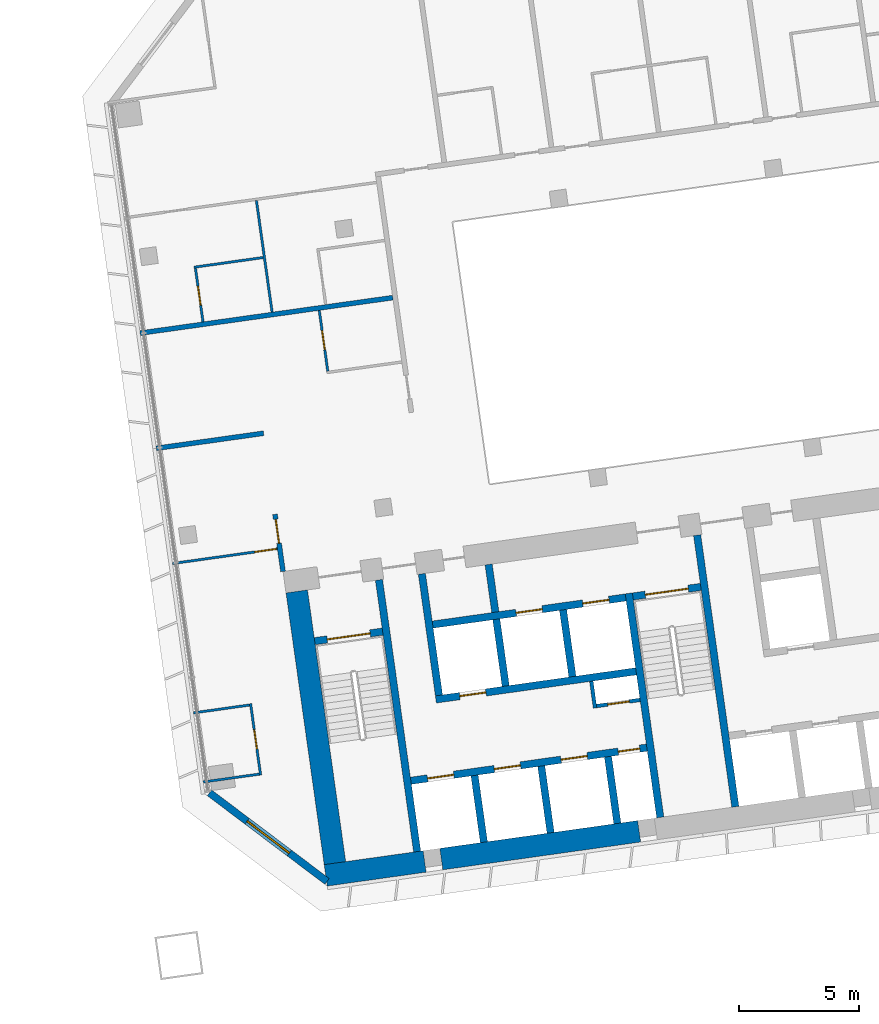
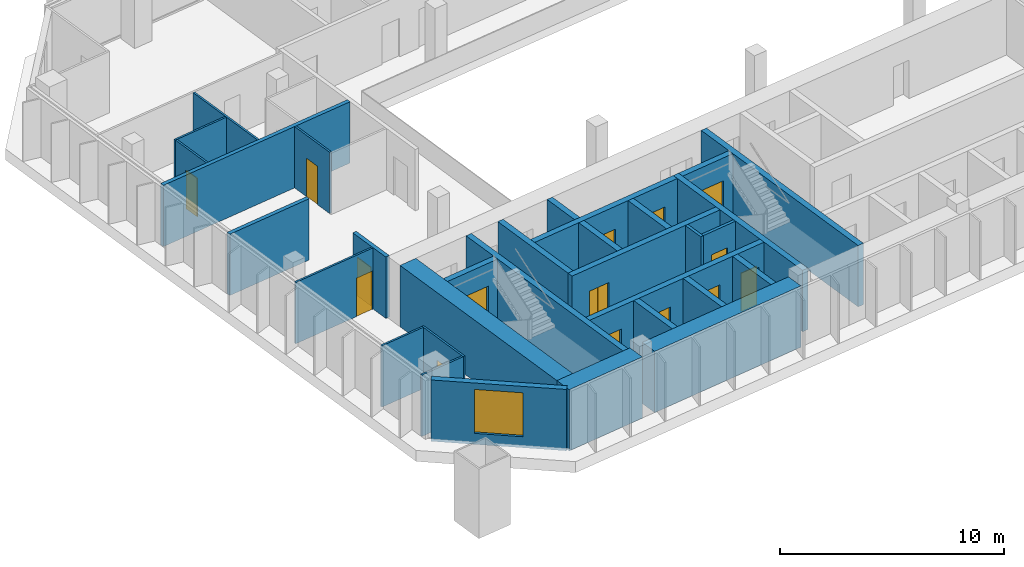
# One storey, part 18 of 24: 32 walls, 15 doors, 1 window, 16 openings.
"""IFC4 building model written with IfcOpenShell, lengths in metres."""

from ifc_helpers import new_model, si_unit, direction, frame, frame_2d, origin, place, context, subcontext, project, spatial, rectangle, extrude, material, layer, layer_set, type_object, element, fill, save


model = new_model("IFC4")

# Units and contexts
model_context = context("Model", 3, precision=1e-05, world=origin(), true_north=direction((0.0, 1.0)))
body_context = subcontext(model_context, "Body", "Model", "MODEL_VIEW")
ifc_project = project(units=[si_unit("LENGTHUNIT", "METRE"), si_unit("AREAUNIT", "SQUARE_METRE"), si_unit("VOLUMEUNIT", "CUBIC_METRE"), si_unit("PLANEANGLEUNIT", "RADIAN"), si_unit("MASSUNIT", "GRAM", prefix="KILO")], contexts=[model_context])

# Site, building, storey
site_placement = place(None, origin())
site = spatial("IfcSite", under=ifc_project, at=site_placement, CompositionType="ELEMENT")
building_placement = place(site_placement, origin())
building = spatial("IfcBuilding", under=site, at=building_placement, Name="Mirante Cascada Hotel Towers", CompositionType="ELEMENT")
storey_placement = place(building_placement, frame((0.0, 0.0, 47.1)))
storey = spatial("IfcBuildingStorey", under=building, at=storey_placement, Name="L08", CompositionType="ELEMENT", Elevation=47.1)

# Walls
ifc_material_1 = material(Name="Fire-rated plasterboard on metal studs")
ifc_layer_1 = layer(ifc_material_1, 0.2)
ifc_layer_set_1 = layer_set([ifc_layer_1], Name="Compartment wall 200 EI 120")
wall_type_1 = type_object("IfcWallType", Name="Compartment wall 200 EI 120", PredefinedType="PARTITIONING", material=ifc_layer_set_1)
wall_1_placement = place(storey_placement, frame((34.4562, -1.3737, 0.0), z_axis=(0.0, 0.0, 1.0), x_axis=(-0.9902674, -0.1391779, 0.0)))
element("IfcWall", 1, at=wall_1_placement, inside=storey, type_object=wall_type_1, Name="Wall 2-L08-08", PredefinedType="PARTITIONING", context=body_context, shape_type="SweptSolid", body=[
    extrude(rectangle(XDim=4.5, YDim=0.2, at=frame_2d((2.25, 0.0))), origin(), (0.0, 0.0, 1.0), 3.35),
])
wall_2_placement = place(storey_placement, frame((29.3273, 2.7863, 0.0), z_axis=(0.0, 0.0, 1.0), x_axis=(0.9902686, 0.1391691, 0.0)))
element("IfcWall", 2, at=wall_2_placement, inside=storey, type_object=wall_type_1, Name="Wall 2-L08-13", PredefinedType="PARTITIONING", context=body_context, shape_type="SweptSolid", body=[
    extrude(rectangle(XDim=10.6001, YDim=0.2, at=frame_2d((5.3, 0.0))), origin(), (0.0, 0.0, 1.0), 3.35),
])

# Wall, opening, door
wall_3_placement = place(storey_placement, frame((35.2634, -7.1173, 0.0), z_axis=(0.0, 0.0, 1.0), x_axis=(-0.1391635, 0.9902694, 0.0)))
wall_3 = element("IfcWall", 3, at=wall_3_placement, inside=storey, type_object=wall_type_1, Name="Wall 2-L08-29", PredefinedType="PARTITIONING", context=body_context, shape_type="SweptSolid", body=[
    extrude(rectangle(XDim=2.4001, YDim=0.2, at=frame_2d((1.2, 0.0))), origin(), (0.0, 0.0, 1.0), 3.35),
])
opening_1_placement = place(wall_3_placement, frame((1.1833, 0.0, 0.0)))
opening_1 = element("IfcOpeningElement", 4, at=opening_1_placement, cuts=wall_3, Name="Opening D2-L08-29", PredefinedType="OPENING", context=body_context, shape_type="SweptSolid", body=[
    extrude(rectangle(XDim=1.0, YDim=2.1, at=frame_2d((0.5, 1.05))), frame((0.0, 0.1, 0.0), z_axis=(0.0, -1.0, 0.0), x_axis=(1.0, 0.0, 0.0)), (0.0, 0.0, 1.0), 0.2),
])
ifc_material_2 = material(Name="Fire-rated timber door leaf", Category="wood")
door_type_1 = type_object("IfcDoorType", Name="Entrance door DG1 1000x2100 EI 60", OperationType="SINGLE_SWING_LEFT", PredefinedType="DOOR", material=ifc_material_2)
door_1_placement = place(opening_1_placement, origin())
door_1 = element("IfcDoor", 5, at=door_1_placement, inside=storey, type_object=door_type_1, Name="Door D2-L08-29", OperationType="SINGLE_SWING_LEFT", OverallHeight=2.1, OverallWidth=1.0, PredefinedType="DOOR", context=body_context, shape_type="SweptSolid", body=[
    extrude(rectangle(XDim=1.0, YDim=2.1, at=frame_2d((0.5, 1.05))), frame((0.0, 0.025, 0.0), z_axis=(0.0, -1.0, 0.0), x_axis=(1.0, 0.0, 0.0)), (0.0, 0.0, 1.0), 0.05),
])
fill(opening_1, door_1)

# Wall
ifc_material_3 = material(Name="Masonry block", Category="masonry")
ifc_layer_2 = layer(ifc_material_3, 0.15)
ifc_layer_set_2 = layer_set([ifc_layer_2], Name="Core room partition 150 block EI 30")
wall_type_2 = type_object("IfcWallType", Name="Core room partition 150 block EI 30", PredefinedType="PARTITIONING", material=ifc_layer_set_2)
wall_4_placement = place(storey_placement, frame((48.2295, -12.793, 0.0), z_axis=(0.0, 0.0, 1.0), x_axis=(-0.1391935, 0.9902652, 0.0)))
element("IfcWall", 6, at=wall_4_placement, inside=storey, type_object=wall_type_2, Name="Core wall partition T2 L08 2", PredefinedType="PARTITIONING", context=body_context, shape_type="SweptSolid", body=[
    extrude(rectangle(XDim=1.1251, YDim=0.15, at=frame_2d((0.5626, 0.0))), origin(), (0.0, 0.0, 1.0), 3.35),
])

# Wall, opening, door
wall_5_placement = place(storey_placement, frame((48.2933, -12.7083, 0.0), z_axis=(0.0, 0.0, 1.0), x_axis=(0.990268, 0.1391734, 0.0)))
wall_5 = element("IfcWall", 7, at=wall_5_placement, inside=storey, type_object=wall_type_2, Name="Core wall partition T2 L08 3", PredefinedType="PARTITIONING", context=body_context, shape_type="SweptSolid", body=[
    extrude(rectangle(XDim=1.8251, YDim=0.15, at=frame_2d((0.9126, 0.0))), origin(), (0.0, 0.0, 1.0), 3.35),
])
opening_2_placement = place(wall_5_placement, frame((0.4625, 0.0, 0.0)))
opening_2 = element("IfcOpeningElement", 8, at=opening_2_placement, cuts=wall_5, Name="Opening D2-08-C23", PredefinedType="OPENING", context=body_context, shape_type="SweptSolid", body=[
    extrude(rectangle(XDim=0.9, YDim=2.1, at=frame_2d((0.45, 1.05))), frame((0.0, 0.075, 0.0), z_axis=(0.0, -1.0, 0.0), x_axis=(1.0, 0.0, 0.0)), (0.0, 0.0, 1.0), 0.15),
])
ifc_material_4 = material(Name="Hollow metal fire door leaf")
door_type_2 = type_object("IfcDoorType", Name="Fire door 900x2100 FD60", OperationType="NOTDEFINED", PredefinedType="DOOR", material=ifc_material_4)
door_2_placement = place(opening_2_placement, frame((0.9, 0.0, 0.0), z_axis=(0.0, 0.0, 1.0), x_axis=(-1.0, 0.0, 0.0)))
door_2 = element("IfcDoor", 9, at=door_2_placement, inside=storey, type_object=door_type_2, Name="Riser door T2 L08 23", OperationType="SINGLE_SWING_RIGHT", OverallHeight=2.1, OverallWidth=0.9, PredefinedType="DOOR", context=body_context, shape_type="SweptSolid", body=[
    extrude(rectangle(XDim=0.9, YDim=2.1, at=frame_2d((0.45, 1.05))), frame((0.0, 0.025, 0.0), z_axis=(0.0, -1.0, 0.0), x_axis=(1.0, 0.0, 0.0)), (0.0, 0.0, 1.0), 0.05),
])
fill(opening_2, door_2)

# Walls
ifc_material_5 = material(Name="Masonry block", Category="masonry")
ifc_layer_3 = layer(ifc_material_5, 0.3)
ifc_layer_set_3 = layer_set([ifc_layer_3], Name="Core wall 300 block EI 120")
wall_type_3 = type_object("IfcWallType", Name="Core wall 300 block EI 120", PredefinedType="PARTITIONING", material=ifc_layer_set_3)
wall_6_placement = place(storey_placement, frame((44.0843, -8.8061, 0.0), z_axis=(0.0, 0.0, 1.0), x_axis=(-0.1391951, 0.990265, 0.0)))
element("IfcWall", 10, at=wall_6_placement, inside=storey, type_object=wall_type_3, Name="Core wall partition T2 L08 1", PredefinedType="PARTITIONING", context=body_context, shape_type="SweptSolid", body=[
    extrude(rectangle(XDim=2.0001, YDim=0.3, at=frame_2d((1.0001, 0.0))), origin(), (0.0, 0.0, 1.0), 3.35),
])
ifc_material_6 = material(Name="Plasterboard on metal studs")
ifc_layer_4 = layer(ifc_material_6, 0.1)
ifc_layer_set_4 = layer_set([ifc_layer_4], Name="Partition 100")
wall_type_4 = type_object("IfcWallType", Name="Partition 100", PredefinedType="PARTITIONING", material=ifc_layer_set_4)
for number, where, z_axis, x_axis, name in (
    (11, (34.2756, -15.5367, 0.0), (0.0, 0.0, 1.0), (-0.9902661, -0.139187, 0.0), "Wall 2-L08-02"),
    (12, (31.5448, -12.992, 0.0), (0.0, 0.0, 1.0), (0.9902661, 0.139187, 0.0), "Wall 2-L08-03"),
):
    element("IfcWall", number, at=place(storey_placement, frame(where, z_axis=z_axis, x_axis=x_axis)), inside=storey, type_object=wall_type_4, Name=name, PredefinedType="PARTITIONING", context=body_context, shape_type="SweptSolid", body=[
        extrude(rectangle(XDim=2.3501, YDim=0.1, at=frame_2d((1.175, 0.0))), origin(), (0.0, 0.0, 1.0), 3.35),
    ])

# Wall, opening, door
wall_7_placement = place(storey_placement, frame((35.0298, -6.1739, 0.0), z_axis=(0.0, 0.0, 1.0), x_axis=(-0.9902665, -0.1391841, 0.0)))
wall_7 = element("IfcWall", 13, at=wall_7_placement, inside=storey, type_object=wall_type_4, Name="Wall 2-L08-04", PredefinedType="PARTITIONING", context=body_context, shape_type="SweptSolid", body=[
    extrude(rectangle(XDim=4.3999, YDim=0.1, at=frame_2d((2.2, 0.0))), origin(), (0.0, 0.0, 1.0), 3.35),
])
opening_3_placement = place(wall_7_placement, frame((0.05, 0.0, 0.0)))
opening_3 = element("IfcOpeningElement", 14, at=opening_3_placement, cuts=wall_7, Name="Opening D2-L08-02", PredefinedType="OPENING", context=body_context, shape_type="SweptSolid", body=[
    extrude(rectangle(XDim=0.9, YDim=2.1, at=frame_2d((0.45, 1.05))), frame((0.0, 0.05, 0.0), z_axis=(0.0, -1.0, 0.0), x_axis=(1.0, 0.0, 0.0)), (0.0, 0.0, 1.0), 0.1),
])
ifc_material_7 = material(Name="Timber door leaf", Category="wood")
door_type_3 = type_object("IfcDoorType", Name="Room door DG3 900x2100", OperationType="SINGLE_SWING_LEFT", PredefinedType="DOOR", material=ifc_material_7)
door_3_placement = place(opening_3_placement, origin())
door_3 = element("IfcDoor", 15, at=door_3_placement, inside=storey, type_object=door_type_3, Name="Door D2-L08-02", OperationType="SINGLE_SWING_LEFT", OverallHeight=2.1, OverallWidth=0.9, PredefinedType="DOOR", context=body_context, shape_type="SweptSolid", body=[
    extrude(rectangle(XDim=0.9, YDim=2.1, at=frame_2d((0.45, 1.05))), frame((0.0, 0.025, 0.0), z_axis=(0.0, -1.0, 0.0), x_axis=(1.0, 0.0, 0.0)), (0.0, 0.0, 1.0), 0.05),
])
fill(opening_3, door_3)

# Wall
wall_8_placement = place(storey_placement, frame((31.568, 5.5248, 0.0), z_axis=(0.0, 0.0, 1.0), x_axis=(0.9902683, 0.1391714, 0.0)))
element("IfcWall", 16, at=wall_8_placement, inside=storey, type_object=wall_type_4, Name="Wall 2-L08-15", PredefinedType="PARTITIONING", context=body_context, shape_type="SweptSolid", body=[
    extrude(rectangle(XDim=2.9, YDim=0.1, at=frame_2d((1.45, 0.0))), origin(), (0.0, 0.0, 1.0), 3.35),
])

# Wall, opening, door
wall_9_placement = place(storey_placement, frame((34.332, -15.5793, 0.0), z_axis=(0.0, 0.0, 1.0), x_axis=(-0.1391624, 0.9902696, 0.0)))
wall_9 = element("IfcWall", 17, at=wall_9_placement, inside=storey, type_object=wall_type_4, Name="Wall 2-L08-27", PredefinedType="PARTITIONING", context=body_context, shape_type="SweptSolid", body=[
    extrude(rectangle(XDim=3.0001, YDim=0.1, at=frame_2d((1.5001, 0.0))), origin(), (0.0, 0.0, 1.0), 3.35),
])
opening_4_placement = place(wall_9_placement, frame((1.1, 0.0, 0.0)))
opening_4 = element("IfcOpeningElement", 18, at=opening_4_placement, cuts=wall_9, Name="Opening D2-L08-27", PredefinedType="OPENING", context=body_context, shape_type="SweptSolid", body=[
    extrude(rectangle(XDim=0.8, YDim=2.1, at=frame_2d((0.4, 1.05))), frame((0.0, 0.05, 0.0), z_axis=(0.0, -1.0, 0.0), x_axis=(1.0, 0.0, 0.0)), (0.0, 0.0, 1.0), 0.1),
])
ifc_material_8 = material(Name="Timber door leaf", Category="wood")
door_type_4 = type_object("IfcDoorType", Name="Bathroom door DG4 800x2100", OperationType="SINGLE_SWING_LEFT", PredefinedType="DOOR", material=ifc_material_8)
door_4_placement = place(opening_4_placement, frame((0.8, 0.0, 0.0), z_axis=(0.0, 0.0, 1.0), x_axis=(-1.0, 0.0, 0.0)))
door_4 = element("IfcDoor", 19, at=door_4_placement, inside=storey, type_object=door_type_4, Name="Door D2-L08-27", OperationType="SINGLE_SWING_RIGHT", OverallHeight=2.1, OverallWidth=0.8, PredefinedType="DOOR", context=body_context, shape_type="SweptSolid", body=[
    extrude(rectangle(XDim=0.8, YDim=2.1, at=frame_2d((0.4, 1.05))), frame((0.0, 0.025, 0.0), z_axis=(0.0, -1.0, 0.0), x_axis=(1.0, 0.0, 0.0)), (0.0, 0.0, 1.0), 0.05),
])
fill(opening_4, door_4)

wall_10_placement = place(storey_placement, frame((31.6245, 5.4822, 0.0), z_axis=(0.0, 0.0, 1.0), x_axis=(0.1391561, -0.9902705, 0.0)))
wall_10 = element("IfcWall", 20, at=wall_10_placement, inside=storey, type_object=wall_type_4, Name="Wall 2-L08-28", PredefinedType="PARTITIONING", context=body_context, shape_type="SweptSolid", body=[
    extrude(rectangle(XDim=2.25, YDim=0.1, at=frame_2d((1.125, 0.0))), origin(), (0.0, 0.0, 1.0), 3.35),
])
opening_5_placement = place(wall_10_placement, frame((0.75, 0.0, 0.0)))
opening_5 = element("IfcOpeningElement", 21, at=opening_5_placement, cuts=wall_10, Name="Opening D2-L08-28", PredefinedType="OPENING", context=body_context, shape_type="SweptSolid", body=[
    extrude(rectangle(XDim=0.8, YDim=2.1, at=frame_2d((0.4, 1.05))), frame((0.0, 0.05, 0.0), z_axis=(0.0, -1.0, 0.0), x_axis=(1.0, 0.0, 0.0)), (0.0, 0.0, 1.0), 0.1),
])
door_5_placement = place(opening_5_placement, origin())
door_5 = element("IfcDoor", 22, at=door_5_placement, inside=storey, type_object=door_type_4, Name="Door D2-L08-28", OperationType="SINGLE_SWING_LEFT", OverallHeight=2.1, OverallWidth=0.8, PredefinedType="DOOR", context=body_context, shape_type="SweptSolid", body=[
    extrude(rectangle(XDim=0.8, YDim=2.1, at=frame_2d((0.4, 1.05))), frame((0.0, 0.025, 0.0), z_axis=(0.0, -1.0, 0.0), x_axis=(1.0, 0.0, 0.0)), (0.0, 0.0, 1.0), 0.05),
])
fill(opening_5, door_5)

# Wall
wall_11_placement = place(storey_placement, frame((34.8094, 3.6577, 0.0), z_axis=(0.0, 0.0, 1.0), x_axis=(-0.139173, 0.9902681, 0.0)))
element("IfcWall", 23, at=wall_11_placement, inside=storey, type_object=wall_type_4, Name="Wall 2-L08-31", PredefinedType="PARTITIONING", context=body_context, shape_type="SweptSolid", body=[
    extrude(rectangle(XDim=4.6834, YDim=0.1, at=frame_2d((2.3417, 0.0))), origin(), (0.0, 0.0, 1.0), 3.35),
])

# Wall, opening, door
wall_12_placement = place(storey_placement, frame((36.7683, 3.731, 0.0), z_axis=(0.0, 0.0, 1.0), x_axis=(0.1391809, -0.990267, 0.0)))
wall_12 = element("IfcWall", 24, at=wall_12_placement, inside=storey, type_object=wall_type_4, Name="Wall 2-L08-32", PredefinedType="PARTITIONING", context=body_context, shape_type="SweptSolid", body=[
    extrude(rectangle(XDim=2.5499, YDim=0.1, at=frame_2d((1.275, 0.0))), origin(), (0.0, 0.0, 1.0), 3.35),
])
opening_6_placement = place(wall_12_placement, frame((0.85, 0.0, 0.0)))
opening_6 = element("IfcOpeningElement", 25, at=opening_6_placement, cuts=wall_12, Name="Opening D2-L08-31", PredefinedType="OPENING", context=body_context, shape_type="SweptSolid", body=[
    extrude(rectangle(XDim=0.8, YDim=2.1, at=frame_2d((0.4, 1.05))), frame((0.0, 0.05, 0.0), z_axis=(0.0, -1.0, 0.0), x_axis=(1.0, 0.0, 0.0)), (0.0, 0.0, 1.0), 0.1),
])
door_6_placement = place(opening_6_placement, frame((0.8, 0.0, 0.0), z_axis=(0.0, 0.0, 1.0), x_axis=(-1.0, 0.0, 0.0)))
door_6 = element("IfcDoor", 26, at=door_6_placement, inside=storey, type_object=door_type_4, Name="Door D2-L08-31", OperationType="SINGLE_SWING_RIGHT", OverallHeight=2.1, OverallWidth=0.8, PredefinedType="DOOR", context=body_context, shape_type="SweptSolid", body=[
    extrude(rectangle(XDim=0.8, YDim=2.1, at=frame_2d((0.4, 1.05))), frame((0.0, 0.025, 0.0), z_axis=(0.0, -1.0, 0.0), x_axis=(1.0, 0.0, 0.0)), (0.0, 0.0, 1.0), 0.05),
])
fill(opening_6, door_6)

# Wall, opening, window
ifc_material_9 = material(Name="Precast concrete C40/50", Category="concrete")
ifc_layer_5 = layer(ifc_material_9, 0.3)
ifc_layer_set_5 = layer_set([ifc_layer_5], Name="Precast concrete C40/50 cladding wall 300")
wall_type_5 = type_object("IfcWallType", Name="Precast concrete C40/50 cladding wall 300", PredefinedType="STANDARD", material=ifc_layer_set_5)
wall_13_placement = place(storey_placement, frame((32.2074, -16.3138, 0.0), z_axis=(0.0, 0.0, 1.0), x_axis=(0.7986362, -0.6018141, 0.0)))
wall_13 = element("IfcWall", 27, at=wall_13_placement, inside=storey, type_object=wall_type_5, Name="Corner cladding wall T2 L08 inner rear", PredefinedType="STANDARD", context=body_context, shape_type="SweptSolid", body=[
    extrude(rectangle(XDim=6.1157, YDim=0.3, at=frame_2d((3.0578, 0.0))), origin(), (0.0, 0.0, 1.0), 3.35),
])
opening_7_placement = place(wall_13_placement, frame((1.9578, 0.0, 0.6)))
opening_7 = element("IfcOpeningElement", 28, at=opening_7_placement, cuts=wall_13, Name="Opening W2-08-05", PredefinedType="OPENING", context=body_context, shape_type="SweptSolid", body=[
    extrude(rectangle(XDim=2.2, YDim=2.4, at=frame_2d((1.1, 1.2))), frame((0.0, 0.15, 0.0), z_axis=(0.0, -1.0, 0.0), x_axis=(1.0, 0.0, 0.0)), (0.0, 0.0, 1.0), 0.3),
])
ifc_material_10 = material(Name="Aluminium frame with clear double glazing", Category="aluminium")
window_type = type_object("IfcWindowType", Name="Corner suite window 2200x2400", PartitioningType="DOUBLE_PANEL_VERTICAL", PredefinedType="WINDOW", material=ifc_material_10)
window_placement = place(opening_7_placement, origin())
window = element("IfcWindow", 29, at=window_placement, inside=storey, type_object=window_type, Name="Window W2-08-05", OverallHeight=2.4, OverallWidth=2.2, PartitioningType="SINGLE_PANEL", PredefinedType="WINDOW", context=body_context, shape_type="SweptSolid", body=[
    extrude(rectangle(XDim=2.2, YDim=2.4, at=frame_2d((1.1, 1.2))), frame((0.0, 0.03, 0.0), z_axis=(0.0, -1.0, 0.0), x_axis=(1.0, 0.0, 0.0)), (0.0, 0.0, 1.0), 0.06),
])
fill(opening_7, window)

# Walls
ifc_material_11 = material(Name="Concrete C50/60", Category="concrete")
ifc_layer_6 = layer(ifc_material_11, 0.3)
ifc_layer_set_6 = layer_set([ifc_layer_6], Name="RC core wall 300 C50/60")
wall_type_6 = type_object("IfcWallType", Name="RC core wall 300 C50/60", PredefinedType="SHEAR", material=ifc_layer_set_6)
wall_14_placement = place(storey_placement, frame((40.8373, -18.7548, 0.0), z_axis=(0.0, 0.0, 1.0), x_axis=(-0.1391749, 0.9902678, 0.0)))
element("IfcWall", 30, at=wall_14_placement, inside=storey, type_object=wall_type_6, Name="Core wall T2:L08:5", PredefinedType="SHEAR", context=body_context, shape_type="SweptSolid", body=[
    extrude(rectangle(XDim=11.4, YDim=0.3, at=frame_2d((5.7, 0.0))), origin(), (0.0, 0.0, 1.0), 3.35),
])
wall_15_placement = place(storey_placement, frame((50.938, -17.3352, 0.0), z_axis=(0.0, 0.0, 1.0), x_axis=(-0.1391706, 0.9902684, 0.0)))
element("IfcWall", 31, at=wall_15_placement, inside=storey, type_object=wall_type_6, Name="Core wall T2:L08:6", PredefinedType="SHEAR", context=body_context, shape_type="SweptSolid", body=[
    extrude(rectangle(XDim=9.4, YDim=0.3, at=frame_2d((4.7, 0.0))), origin(), (0.0, 0.0, 1.0), 3.35),
])
wall_16_placement = place(storey_placement, frame((54.0574, -16.8968, 0.0), z_axis=(0.0, 0.0, 1.0), x_axis=(-0.1391761, 0.9902677, 0.0)))
element("IfcWall", 32, at=wall_16_placement, inside=storey, type_object=wall_type_6, Name="Core wall T2:L08:7", PredefinedType="SHEAR", context=body_context, shape_type="SweptSolid", body=[
    extrude(rectangle(XDim=11.3999, YDim=0.3, at=frame_2d((5.7, 0.0))), origin(), (0.0, 0.0, 1.0), 3.35),
])

# Wall, opening, door
wall_17_placement = place(storey_placement, frame((36.5791, -10.0123, 0.0), z_axis=(0.0, 0.0, 1.0), x_axis=(0.9902704, 0.1391564, 0.0)))
wall_17 = element("IfcWall", 33, at=wall_17_placement, inside=storey, type_object=wall_type_6, Name="Core wall T2:L08:9", PredefinedType="SHEAR", context=body_context, shape_type="SweptSolid", body=[
    extrude(rectangle(XDim=2.85, YDim=0.3, at=frame_2d((1.425, 0.0))), origin(), (0.0, 0.0, 1.0), 3.35),
])
opening_8_placement = place(wall_17_placement, frame((0.525, 0.0, 0.0)))
opening_8 = element("IfcOpeningElement", 34, at=opening_8_placement, cuts=wall_17, Name="Opening D2-08-C13", PredefinedType="OPENING", context=body_context, shape_type="SweptSolid", body=[
    extrude(rectangle(XDim=1.8, YDim=2.1, at=frame_2d((0.9, 1.05))), frame((0.0, 0.15, 0.0), z_axis=(0.0, -1.0, 0.0), x_axis=(1.0, 0.0, 0.0)), (0.0, 0.0, 1.0), 0.3),
])
ifc_material_12 = material(Name="Hollow metal fire door leaf")
door_type_5 = type_object("IfcDoorType", Name="Double fire door 1800x2100 FD60", OperationType="DOUBLE_DOOR_SINGLE_SWING", PredefinedType="DOOR", material=ifc_material_12)
door_7_placement = place(opening_8_placement, frame((1.8, 0.0, 0.0), z_axis=(0.0, 0.0, 1.0), x_axis=(-1.0, 0.0, 0.0)))
door_7 = element("IfcDoor", 35, at=door_7_placement, inside=storey, type_object=door_type_5, Name="Stair door T2 L08 13", OperationType="DOUBLE_DOOR_SINGLE_SWING", OverallHeight=2.1, OverallWidth=1.8, PredefinedType="DOOR", context=body_context, shape_type="SweptSolid", body=[
    extrude(rectangle(XDim=0.895, YDim=2.1, at=frame_2d((0.4475, 1.05))), frame((0.0, 0.025, 0.0), z_axis=(0.0, -1.0, 0.0), x_axis=(1.0, 0.0, 0.0)), (0.0, 0.0, 1.0), 0.05),
    extrude(rectangle(XDim=0.895, YDim=2.1, at=frame_2d((1.3525, 1.05))), frame((0.0, 0.025, 0.0), z_axis=(0.0, -1.0, 0.0), x_axis=(1.0, 0.0, 0.0)), (0.0, 0.0, 1.0), 0.05),
])
fill(opening_8, door_7)

wall_18_placement = place(storey_placement, frame((49.7992, -8.1544, 0.0), z_axis=(0.0, 0.0, 1.0), x_axis=(0.9902656, 0.1391909, 0.0)))
wall_18 = element("IfcWall", 36, at=wall_18_placement, inside=storey, type_object=wall_type_6, Name="Core wall T2:L08:10", PredefinedType="SHEAR", context=body_context, shape_type="SweptSolid", body=[
    extrude(rectangle(XDim=2.85, YDim=0.3, at=frame_2d((1.425, 0.0))), origin(), (0.0, 0.0, 1.0), 3.35),
])
opening_9_placement = place(wall_18_placement, frame((0.525, 0.0, 0.0)))
opening_9 = element("IfcOpeningElement", 37, at=opening_9_placement, cuts=wall_18, Name="Opening D2-08-C15", PredefinedType="OPENING", context=body_context, shape_type="SweptSolid", body=[
    extrude(rectangle(XDim=1.8, YDim=2.1, at=frame_2d((0.9, 1.05))), frame((0.0, 0.15, 0.0), z_axis=(0.0, -1.0, 0.0), x_axis=(1.0, 0.0, 0.0)), (0.0, 0.0, 1.0), 0.3),
])
door_8_placement = place(opening_9_placement, frame((1.8, 0.0, 0.0), z_axis=(0.0, 0.0, 1.0), x_axis=(-1.0, 0.0, 0.0)))
door_8 = element("IfcDoor", 38, at=door_8_placement, inside=storey, type_object=door_type_5, Name="Stair door T2 L08 15", OperationType="DOUBLE_DOOR_SINGLE_SWING", OverallHeight=2.1, OverallWidth=1.8, PredefinedType="DOOR", context=body_context, shape_type="SweptSolid", body=[
    extrude(rectangle(XDim=0.895, YDim=2.1, at=frame_2d((0.4475, 1.05))), frame((0.0, 0.025, 0.0), z_axis=(0.0, -1.0, 0.0), x_axis=(1.0, 0.0, 0.0)), (0.0, 0.0, 1.0), 0.05),
    extrude(rectangle(XDim=0.895, YDim=2.1, at=frame_2d((1.3525, 1.05))), frame((0.0, 0.025, 0.0), z_axis=(0.0, -1.0, 0.0), x_axis=(1.0, 0.0, 0.0)), (0.0, 0.0, 1.0), 0.05),
])
fill(opening_9, door_8)

# Wall, openings, doors
wall_19_placement = place(storey_placement, frame((40.5753, -15.8126, 0.0), z_axis=(0.0, 0.0, 1.0), x_axis=(0.9902682, 0.1391725, 0.0)))
wall_19 = element("IfcWall", 39, at=wall_19_placement, inside=storey, type_object=wall_type_6, Name="Core wall T2:L08:12", PredefinedType="SHEAR", context=body_context, shape_type="SweptSolid", body=[
    extrude(rectangle(XDim=9.8999, YDim=0.3, at=frame_2d((4.95, 0.0))), origin(), (0.0, 0.0, 1.0), 3.35),
])
opening_10_placement = place(wall_19_placement, frame((0.7, 0.0, 0.0)))
opening_10 = element("IfcOpeningElement", 40, at=opening_10_placement, cuts=wall_19, Name="Opening LD", PredefinedType="OPENING", context=body_context, shape_type="SweptSolid", body=[
    extrude(rectangle(XDim=1.1, YDim=2.1, at=frame_2d((0.55, 1.05))), frame((0.0, 0.15, 0.0), z_axis=(0.0, -1.0, 0.0), x_axis=(1.0, 0.0, 0.0)), (0.0, 0.0, 1.0), 0.3),
])
opening_11_placement = place(wall_19_placement, frame((3.5, 0.0, 0.0)))
opening_11 = element("IfcOpeningElement", 41, at=opening_11_placement, cuts=wall_19, Name="Opening LD", PredefinedType="OPENING", context=body_context, shape_type="SweptSolid", body=[
    extrude(rectangle(XDim=1.1, YDim=2.1, at=frame_2d((0.55, 1.05))), frame((0.0, 0.15, 0.0), z_axis=(0.0, -1.0, 0.0), x_axis=(1.0, 0.0, 0.0)), (0.0, 0.0, 1.0), 0.3),
])
opening_12_placement = place(wall_19_placement, frame((6.3, 0.0, 0.0)))
opening_12 = element("IfcOpeningElement", 42, at=opening_12_placement, cuts=wall_19, Name="Opening LD", PredefinedType="OPENING", context=body_context, shape_type="SweptSolid", body=[
    extrude(rectangle(XDim=1.1, YDim=2.1, at=frame_2d((0.55, 1.05))), frame((0.0, 0.15, 0.0), z_axis=(0.0, -1.0, 0.0), x_axis=(1.0, 0.0, 0.0)), (0.0, 0.0, 1.0), 0.3),
])
opening_13_placement = place(wall_19_placement, frame((8.7, 0.0, 0.0)))
opening_13 = element("IfcOpeningElement", 43, at=opening_13_placement, cuts=wall_19, Name="Opening D2-08-C22", PredefinedType="OPENING", context=body_context, shape_type="SweptSolid", body=[
    extrude(rectangle(XDim=0.9, YDim=2.1, at=frame_2d((0.45, 1.05))), frame((0.0, 0.15, 0.0), z_axis=(0.0, -1.0, 0.0), x_axis=(1.0, 0.0, 0.0)), (0.0, 0.0, 1.0), 0.3),
])
door_9_placement = place(opening_13_placement, frame((0.9, 0.0, 0.0), z_axis=(0.0, 0.0, 1.0), x_axis=(-1.0, 0.0, 0.0)))
door_9 = element("IfcDoor", 44, at=door_9_placement, inside=storey, type_object=door_type_2, Name="Riser door T2 L08 22", OperationType="SINGLE_SWING_RIGHT", OverallHeight=2.1, OverallWidth=0.9, PredefinedType="DOOR", context=body_context, shape_type="SweptSolid", body=[
    extrude(rectangle(XDim=0.9, YDim=2.1, at=frame_2d((0.45, 1.05))), frame((0.0, 0.025, 0.0), z_axis=(0.0, -1.0, 0.0), x_axis=(1.0, 0.0, 0.0)), (0.0, 0.0, 1.0), 0.05),
])
fill(opening_13, door_9)
ifc_material_13 = material(Name="Stainless steel", Category="steel")
door_type_6 = type_object("IfcDoorType", Name="Lift landing door 1100x2100 EI 120", OperationType="DOUBLE_DOOR_SLIDING", PredefinedType="DOOR", material=ifc_material_13)
door_10_placement = place(opening_10_placement, origin())
door_10 = element("IfcDoor", 45, at=door_10_placement, inside=storey, type_object=door_type_6, Name="Lift landing door HR2-1 L08", OperationType="DOUBLE_DOOR_SLIDING", OverallHeight=2.1, OverallWidth=1.1, PredefinedType="DOOR", context=body_context, shape_type="SweptSolid", body=[
    extrude(rectangle(XDim=0.545, YDim=2.1, at=frame_2d((0.2725, 1.05))), frame((0.0, 0.025, 0.0), z_axis=(0.0, -1.0, 0.0), x_axis=(1.0, 0.0, 0.0)), (0.0, 0.0, 1.0), 0.05),
    extrude(rectangle(XDim=0.545, YDim=2.1, at=frame_2d((0.8275, 1.05))), frame((0.0, 0.025, 0.0), z_axis=(0.0, -1.0, 0.0), x_axis=(1.0, 0.0, 0.0)), (0.0, 0.0, 1.0), 0.05),
])
fill(opening_10, door_10)
door_11_placement = place(opening_11_placement, origin())
door_11 = element("IfcDoor", 46, at=door_11_placement, inside=storey, type_object=door_type_6, Name="Lift landing door HR2-2 L08", OperationType="DOUBLE_DOOR_SLIDING", OverallHeight=2.1, OverallWidth=1.1, PredefinedType="DOOR", context=body_context, shape_type="SweptSolid", body=[
    extrude(rectangle(XDim=0.545, YDim=2.1, at=frame_2d((0.2725, 1.05))), frame((0.0, 0.025, 0.0), z_axis=(0.0, -1.0, 0.0), x_axis=(1.0, 0.0, 0.0)), (0.0, 0.0, 1.0), 0.05),
    extrude(rectangle(XDim=0.545, YDim=2.1, at=frame_2d((0.8275, 1.05))), frame((0.0, 0.025, 0.0), z_axis=(0.0, -1.0, 0.0), x_axis=(1.0, 0.0, 0.0)), (0.0, 0.0, 1.0), 0.05),
])
fill(opening_11, door_11)
door_12_placement = place(opening_12_placement, origin())
door_12 = element("IfcDoor", 47, at=door_12_placement, inside=storey, type_object=door_type_6, Name="Lift landing door HR2-3 L08", OperationType="DOUBLE_DOOR_SLIDING", OverallHeight=2.1, OverallWidth=1.1, PredefinedType="DOOR", context=body_context, shape_type="SweptSolid", body=[
    extrude(rectangle(XDim=0.545, YDim=2.1, at=frame_2d((0.2725, 1.05))), frame((0.0, 0.025, 0.0), z_axis=(0.0, -1.0, 0.0), x_axis=(1.0, 0.0, 0.0)), (0.0, 0.0, 1.0), 0.05),
    extrude(rectangle(XDim=0.545, YDim=2.1, at=frame_2d((0.8275, 1.05))), frame((0.0, 0.025, 0.0), z_axis=(0.0, -1.0, 0.0), x_axis=(1.0, 0.0, 0.0)), (0.0, 0.0, 1.0), 0.05),
])
fill(opening_12, door_12)

# Wall, opening, door
wall_20_placement = place(storey_placement, frame((41.6153, -12.435, 0.0), z_axis=(0.0, 0.0, 1.0), x_axis=(0.9902691, 0.139166, 0.0)))
wall_20 = element("IfcWall", 48, at=wall_20_placement, inside=storey, type_object=wall_type_6, Name="Core wall T2:L08:13", PredefinedType="SHEAR", context=body_context, shape_type="SweptSolid", body=[
    extrude(rectangle(XDim=8.4, YDim=0.3, at=frame_2d((4.2, 0.0))), origin(), (0.0, 0.0, 1.0), 3.35),
])
opening_14_placement = place(wall_20_placement, frame((1.0, 0.0, 0.0)))
opening_14 = element("IfcOpeningElement", 49, at=opening_14_placement, cuts=wall_20, Name="Opening LD", PredefinedType="OPENING", context=body_context, shape_type="SweptSolid", body=[
    extrude(rectangle(XDim=1.1, YDim=2.1, at=frame_2d((0.55, 1.05))), frame((0.0, 0.15, 0.0), z_axis=(0.0, -1.0, 0.0), x_axis=(1.0, 0.0, 0.0)), (0.0, 0.0, 1.0), 0.3),
])
door_13_placement = place(opening_14_placement, origin())
door_13 = element("IfcDoor", 50, at=door_13_placement, inside=storey, type_object=door_type_6, Name="Lift landing door HR2-4 L08", OperationType="DOUBLE_DOOR_SLIDING", OverallHeight=2.1, OverallWidth=1.1, PredefinedType="DOOR", context=body_context, shape_type="SweptSolid", body=[
    extrude(rectangle(XDim=0.545, YDim=2.1, at=frame_2d((0.2725, 1.05))), frame((0.0, 0.025, 0.0), z_axis=(0.0, -1.0, 0.0), x_axis=(1.0, 0.0, 0.0)), (0.0, 0.0, 1.0), 0.05),
    extrude(rectangle(XDim=0.545, YDim=2.1, at=frame_2d((0.8275, 1.05))), frame((0.0, 0.025, 0.0), z_axis=(0.0, -1.0, 0.0), x_axis=(1.0, 0.0, 0.0)), (0.0, 0.0, 1.0), 0.05),
])
fill(opening_14, door_13)

# Wall, openings, doors
wall_21_placement = place(storey_placement, frame((41.481, -9.3234, 0.0), z_axis=(0.0, 0.0, 1.0), x_axis=(0.9902679, 0.1391741, 0.0)))
wall_21 = element("IfcWall", 51, at=wall_21_placement, inside=storey, type_object=wall_type_6, Name="Core wall T2:L08:14", PredefinedType="SHEAR", context=body_context, shape_type="SweptSolid", body=[
    extrude(rectangle(XDim=8.0999, YDim=0.3, at=frame_2d((4.05, 0.0))), origin(), (0.0, 0.0, 1.0), 3.35),
])
opening_15_placement = place(wall_21_placement, frame((3.5, 0.0, 0.0)))
opening_15 = element("IfcOpeningElement", 52, at=opening_15_placement, cuts=wall_21, Name="Opening LD", PredefinedType="OPENING", context=body_context, shape_type="SweptSolid", body=[
    extrude(rectangle(XDim=1.1, YDim=2.1, at=frame_2d((0.55, 1.05))), frame((0.0, 0.15, 0.0), z_axis=(0.0, -1.0, 0.0), x_axis=(1.0, 0.0, 0.0)), (0.0, 0.0, 1.0), 0.3),
])
opening_16_placement = place(wall_21_placement, frame((6.3, 0.0, 0.0)))
opening_16 = element("IfcOpeningElement", 53, at=opening_16_placement, cuts=wall_21, Name="Opening LD", PredefinedType="OPENING", context=body_context, shape_type="SweptSolid", body=[
    extrude(rectangle(XDim=1.1, YDim=2.1, at=frame_2d((0.55, 1.05))), frame((0.0, 0.15, 0.0), z_axis=(0.0, -1.0, 0.0), x_axis=(1.0, 0.0, 0.0)), (0.0, 0.0, 1.0), 0.3),
])
door_14_placement = place(opening_15_placement, origin())
door_14 = element("IfcDoor", 54, at=door_14_placement, inside=storey, type_object=door_type_6, Name="Lift landing door FF3 L08", OperationType="DOUBLE_DOOR_SLIDING", OverallHeight=2.1, OverallWidth=1.1, PredefinedType="DOOR", context=body_context, shape_type="SweptSolid", body=[
    extrude(rectangle(XDim=0.545, YDim=2.1, at=frame_2d((0.2725, 1.05))), frame((0.0, 0.025, 0.0), z_axis=(0.0, -1.0, 0.0), x_axis=(1.0, 0.0, 0.0)), (0.0, 0.0, 1.0), 0.05),
    extrude(rectangle(XDim=0.545, YDim=2.1, at=frame_2d((0.8275, 1.05))), frame((0.0, 0.025, 0.0), z_axis=(0.0, -1.0, 0.0), x_axis=(1.0, 0.0, 0.0)), (0.0, 0.0, 1.0), 0.05),
])
fill(opening_15, door_14)
door_15_placement = place(opening_16_placement, origin())
door_15 = element("IfcDoor", 55, at=door_15_placement, inside=storey, type_object=door_type_6, Name="Lift landing door FF4 L08", OperationType="DOUBLE_DOOR_SLIDING", OverallHeight=2.1, OverallWidth=1.1, PredefinedType="DOOR", context=body_context, shape_type="SweptSolid", body=[
    extrude(rectangle(XDim=0.545, YDim=2.1, at=frame_2d((0.2725, 1.05))), frame((0.0, 0.025, 0.0), z_axis=(0.0, -1.0, 0.0), x_axis=(1.0, 0.0, 0.0)), (0.0, 0.0, 1.0), 0.05),
    extrude(rectangle(XDim=0.545, YDim=2.1, at=frame_2d((0.8275, 1.05))), frame((0.0, 0.025, 0.0), z_axis=(0.0, -1.0, 0.0), x_axis=(1.0, 0.0, 0.0)), (0.0, 0.0, 1.0), 0.05),
])
fill(opening_16, door_15)

# Walls
wall_22_placement = place(storey_placement, frame((43.61, -18.3651, 0.0), z_axis=(0.0, 0.0, 1.0), x_axis=(-0.1391459, 0.9902719, 0.0)))
element("IfcWall", 56, at=wall_22_placement, inside=storey, type_object=wall_type_6, Name="Core wall T2:L08:15", PredefinedType="SHEAR", context=body_context, shape_type="SweptSolid", body=[
    extrude(rectangle(XDim=2.7999, YDim=0.3, at=frame_2d((1.4, 0.0))), origin(), (0.0, 0.0, 1.0), 3.35),
])
wall_23_placement = place(storey_placement, frame((46.3828, -17.9754, 0.0), z_axis=(0.0, 0.0, 1.0), x_axis=(-0.139181, 0.990267, 0.0)))
element("IfcWall", 57, at=wall_23_placement, inside=storey, type_object=wall_type_6, Name="Core wall T2:L08:16", PredefinedType="SHEAR", context=body_context, shape_type="SweptSolid", body=[
    extrude(rectangle(XDim=2.8, YDim=0.3, at=frame_2d((1.4, 0.0))), origin(), (0.0, 0.0, 1.0), 3.35),
])
wall_24_placement = place(storey_placement, frame((49.1555, -17.5857, 0.0), z_axis=(0.0, 0.0, 1.0), x_axis=(-0.1391459, 0.9902719, 0.0)))
element("IfcWall", 58, at=wall_24_placement, inside=storey, type_object=wall_type_6, Name="Core wall T2:L08:17", PredefinedType="SHEAR", context=body_context, shape_type="SweptSolid", body=[
    extrude(rectangle(XDim=2.7999, YDim=0.3, at=frame_2d((1.4, 0.0))), origin(), (0.0, 0.0, 1.0), 3.35),
])
for number, where, z_axis, x_axis, name in (
    (59, (44.5157, -11.8759, 0.0), (0.0, 0.0, 1.0), (-0.139181, 0.990267, 0.0), "Core wall T2:L08:18"),
    (60, (47.2885, -11.4862, 0.0), (0.0, 0.0, 1.0), (-0.139181, 0.990267, 0.0), "Core wall T2:L08:19"),
):
    element("IfcWall", number, at=place(storey_placement, frame(where, z_axis=z_axis, x_axis=x_axis)), inside=storey, type_object=wall_type_6, Name=name, PredefinedType="SHEAR", context=body_context, shape_type="SweptSolid", body=[
        extrude(rectangle(XDim=2.8, YDim=0.3, at=frame_2d((1.4, 0.0))), origin(), (0.0, 0.0, 1.0), 3.35),
    ])
wall_25_placement = place(storey_placement, frame((41.743, -12.2656, 0.0), z_axis=(0.0, 0.0, 1.0), x_axis=(-0.1391755, 0.9902677, 0.0)))
element("IfcWall", 61, at=wall_25_placement, inside=storey, type_object=wall_type_6, Name="Core wall T2:L08:20", PredefinedType="SHEAR", context=body_context, shape_type="SweptSolid", body=[
    extrude(rectangle(XDim=5.1, YDim=0.3, at=frame_2d((2.55, 0.0))), origin(), (0.0, 0.0, 1.0), 3.35),
])
ifc_material_14 = material(Name="Concrete C50/60", Category="concrete")
ifc_layer_7 = layer(ifc_material_14, 0.9)
ifc_layer_set_7 = layer_set([ifc_layer_7], Name="RC core wall 900 C50/60")
wall_type_7 = type_object("IfcWallType", Name="RC core wall 900 C50/60", PredefinedType="SHEAR", material=ifc_layer_set_7)
wall_26_placement = place(storey_placement, frame((37.0379, -19.7432, 0.0), z_axis=(0.0, 0.0, 1.0), x_axis=(0.990267, 0.139181, 0.0)))
element("IfcWall", 62, at=wall_26_placement, inside=storey, type_object=wall_type_7, Name="Core wall T2:L08:1.1", PredefinedType="SHEAR", context=body_context, shape_type="SweptSolid", body=[
    extrude(rectangle(XDim=4.15, YDim=0.9, at=frame_2d((2.075, 0.0))), origin(), (0.0, 0.0, 1.0), 3.35),
])
wall_27_placement = place(storey_placement, frame((41.8407, -19.0682, 0.0), z_axis=(0.0, 0.0, 1.0), x_axis=(0.9902686, 0.1391692, 0.0)))
element("IfcWall", 63, at=wall_27_placement, inside=storey, type_object=wall_type_7, Name="Core wall T2:L08:1.2", PredefinedType="SHEAR", context=body_context, shape_type="SweptSolid", body=[
    extrude(rectangle(XDim=8.3, YDim=0.9, at=frame_2d((4.15, 0.0))), origin(), (0.0, 0.0, 1.0), 3.35),
])
wall_28_placement = place(storey_placement, frame((37.4209, -19.2349, 0.0), z_axis=(0.0, 0.0, 1.0), x_axis=(-0.1391761, 0.9902677, 0.0)))
element("IfcWall", 64, at=wall_28_placement, inside=storey, type_object=wall_type_7, Name="Core wall T2:L08:3", PredefinedType="SHEAR", context=body_context, shape_type="SweptSolid", body=[
    extrude(rectangle(XDim=11.3999, YDim=0.9, at=frame_2d((5.7, 0.0))), origin(), (0.0, 0.0, 1.0), 3.35),
])

save(model, "model.ifc")
